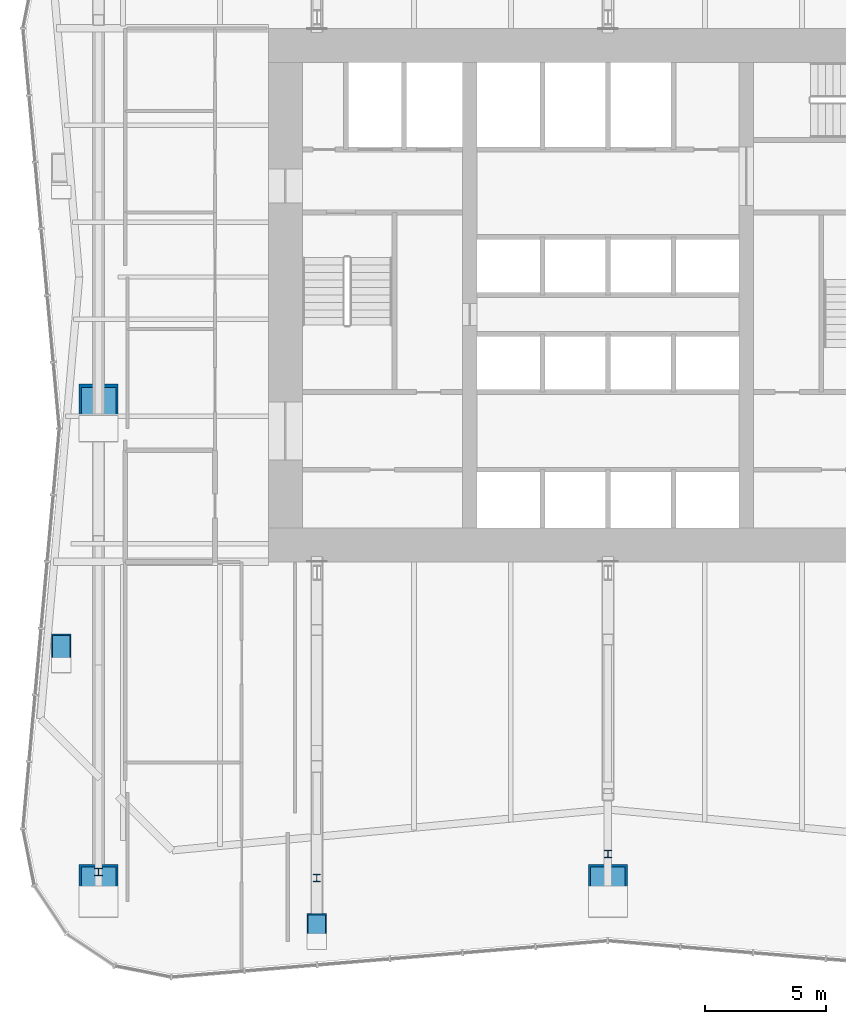
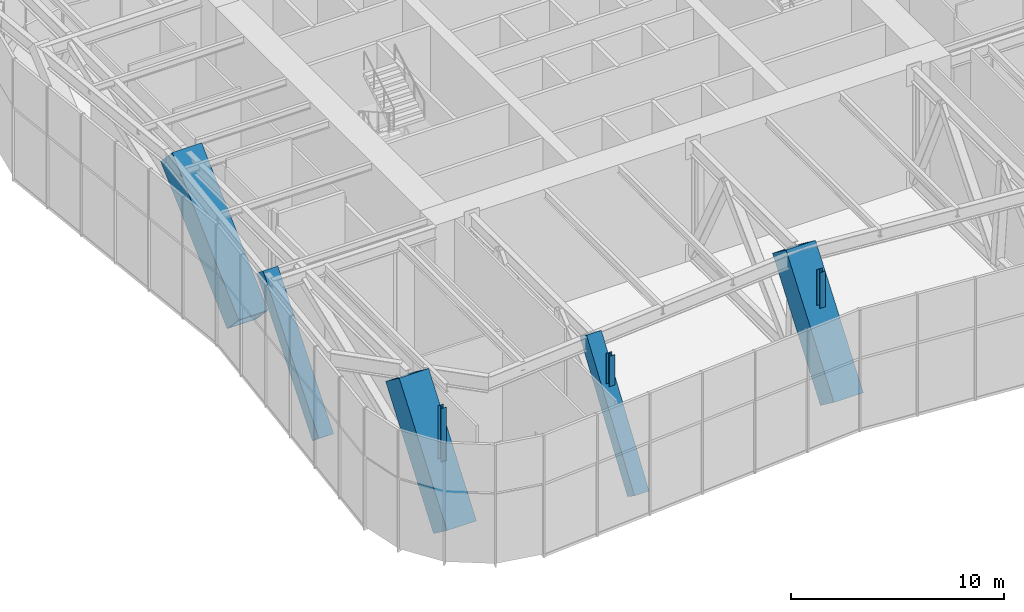
# One storey, part 1 of 17: 8 columns.
"""IFC4 building model written with IfcOpenShell, lengths in metres."""

from ifc_helpers import new_model, si_unit, direction, frame, origin, origin_2d, place, context, subcontext, project, spatial, hollow_rectangle, i_section, extrude, material, material_profile, profile_set, type_object, element, save


model = new_model("IFC4")

# Units and contexts
model_context = context("Model", 3, precision=1e-05, world=origin(), true_north=direction((0.0, 1.0)))
body_context = subcontext(model_context, "Body", "Model", "MODEL_VIEW")
ifc_project = project(units=[si_unit("LENGTHUNIT", "METRE"), si_unit("AREAUNIT", "SQUARE_METRE"), si_unit("VOLUMEUNIT", "CUBIC_METRE"), si_unit("PLANEANGLEUNIT", "RADIAN"), si_unit("MASSUNIT", "GRAM", prefix="KILO")], contexts=[model_context])

# Site, building, storey
site_placement = place(None, origin())
site = spatial("IfcSite", under=ifc_project, at=site_placement, CompositionType="ELEMENT")
building_placement = place(site_placement, origin())
building = spatial("IfcBuilding", under=site, at=building_placement, Name="Verdant Reach Tower", CompositionType="ELEMENT")
storey_placement = place(building_placement, frame((0.0, 0.0, 58.0)))
storey = spatial("IfcBuildingStorey", under=building, at=storey_placement, Name="L13 Plant", CompositionType="ELEMENT", Elevation=58.0)

# Columns
ifc_material = material(Name="Steel S460", Category="steel")
ifc_material_profile_1 = material_profile(ifc_material, hollow_rectangle(XDim=1.60009765625, YDim=1.60009765625, WallThickness=0.090087890625, at=origin_2d()), Name="WB 1600x1600x90")
ifc_profile_set_1 = profile_set([ifc_material_profile_1], Name="Steel S460")
column_type_1 = type_object("IfcColumnType", Name="ST-COL-WB1600x1600x90", PredefinedType="COLUMN", material=ifc_profile_set_1)
for number, where, z_axis, x_axis, name in (
    (1, (0.0, 3.0, 0.489990234375), (0.0, 0.598720715582, 0.800957867015), (-1.0, 0.0, 0.0), "Mega column south, L13 Plant"),
    (2, (-21.0, 3.0, 0.489990234375), (0.0, 0.598720715582, 0.800957867015), (-1.0, 0.0, 0.0), "Mega column south-west, L13 Plant"),
):
    element("IfcColumn", number, at=place(storey_placement, frame(where, z_axis=z_axis, x_axis=x_axis)), inside=storey, type_object=column_type_1, Name=name, PredefinedType="COLUMN", context=body_context, shape_type="SweptSolid", body=[
        extrude(hollow_rectangle(XDim=1.60009765625, YDim=1.60009765625, WallThickness=0.090087890625, at=origin_2d()), origin(), (0.0, 0.0, 1.0), 7.51611328125),
    ])
column_1_placement = place(storey_placement, frame((-21.0, 22.5, 0.587890625), z_axis=(0.0, 0.731587227798, 0.681747847905), x_axis=(-1.0, 0.0, 0.0)))
element("IfcColumn", 3, at=column_1_placement, inside=storey, type_object=column_type_1, Name="Mega column west, L13 Plant", PredefinedType="COLUMN", context=body_context, shape_type="SweptSolid", body=[
    extrude(hollow_rectangle(XDim=1.60009765625, YDim=1.60009765625, WallThickness=0.090087890625, at=origin_2d()), origin(), (0.0, 0.0, 1.0), 8.54296875),
])
ifc_material_profile_2 = material_profile(ifc_material, hollow_rectangle(XDim=0.800048828125, YDim=0.800048828125, WallThickness=0.0400390625, at=origin_2d()), Name="WB 800x800x40")
ifc_profile_set_2 = profile_set([ifc_material_profile_2], Name="Steel S460")
column_type_2 = type_object("IfcColumnType", Name="ST-COL-WB800x800x40", PredefinedType="COLUMN", material=ifc_profile_set_2)
column_2_placement = place(storey_placement, frame((-12.0, 1.35009765625, 0.2548828125), z_axis=(0.0, 0.569788529315, 0.821791355431), x_axis=(-1.0, 0.0, 0.0)))
element("IfcColumn", 4, at=column_2_placement, inside=storey, type_object=column_type_2, Name="Perimeter column south 1, L13 Plant", PredefinedType="COLUMN", context=body_context, shape_type="SweptSolid", body=[
    extrude(hollow_rectangle(XDim=0.800048828125, YDim=0.800048828125, WallThickness=0.0400390625, at=origin_2d()), origin(), (0.0, 0.0, 1.0), 7.897705078125),
])
column_3_placement = place(storey_placement, frame((-22.536376953125, 12.75, 0.278564453125), z_axis=(0.000323130743, 0.631691226248, 0.775220027004), x_axis=(-0.999999869167, 0.000511532671, 0.0)))
element("IfcColumn", 5, at=column_3_placement, inside=storey, type_object=column_type_2, Name="Perimeter column west 1, L13 Plant", PredefinedType="COLUMN", context=body_context, shape_type="SweptSolid", body=[
    extrude(hollow_rectangle(XDim=0.800048828125, YDim=0.800048828125, WallThickness=0.0400390625, at=origin_2d()), origin(), (0.0, 0.0, 1.0), 8.31103515625),
])
ifc_material_profile_3 = material_profile(ifc_material, i_section(OverallWidth=0.300048828125, OverallDepth=0.300048828125, WebThickness=0.010986328125, FlangeThickness=0.01904296875, FilletRadius=0.027099609375, at=origin_2d()), Name="HEB 300")
ifc_profile_set_3 = profile_set([ifc_material_profile_3], Name="Steel S460")
column_type_3 = type_object("IfcColumnType", Name="ST-DECK-POST-HEB300", PredefinedType="COLUMN", material=ifc_profile_set_3)
column_4_placement = place(storey_placement, frame((0.0, 4.959228515625, 4.64794921875), z_axis=(0.0, 0.0, 1.0), x_axis=(1.0, 0.0, 0.0)))
element("IfcColumn", 6, at=column_4_placement, inside=storey, type_object=column_type_3, Name="Terrace deck post, column M-S, L13 Plant", PredefinedType="COLUMN", context=body_context, shape_type="SweptSolid", body=[
    extrude(i_section(OverallWidth=0.300048828125, OverallDepth=0.300048828125, WebThickness=0.010986328125, FlangeThickness=0.01904296875, FilletRadius=0.027099609375, at=origin_2d()), origin(), (0.0, 0.0, 1.0), 2.052001953125),
])
column_5_placement = place(storey_placement, frame((-21.0, 4.209228515625, 3.64453125), z_axis=(0.0, 0.0, 1.0), x_axis=(1.0, 0.0, 0.0)))
element("IfcColumn", 7, at=column_5_placement, inside=storey, type_object=column_type_3, Name="Terrace deck post, column M-SW, L13 Plant", PredefinedType="COLUMN", context=body_context, shape_type="SweptSolid", body=[
    extrude(i_section(OverallWidth=0.300048828125, OverallDepth=0.300048828125, WebThickness=0.010986328125, FlangeThickness=0.01904296875, FilletRadius=0.027099609375, at=origin_2d()), origin(), (0.0, 0.0, 1.0), 3.055419921875),
])
column_6_placement = place(storey_placement, frame((-12.0, 3.97119140625, 4.953857421875), z_axis=(0.0, 0.0, 1.0), x_axis=(1.0, 0.0, 0.0)))
element("IfcColumn", 8, at=column_6_placement, inside=storey, type_object=column_type_3, Name="Terrace deck post, column P-S1, L13 Plant", PredefinedType="COLUMN", context=body_context, shape_type="SweptSolid", body=[
    extrude(i_section(OverallWidth=0.300048828125, OverallDepth=0.300048828125, WebThickness=0.010986328125, FlangeThickness=0.01904296875, FilletRadius=0.027099609375, at=origin_2d()), origin(), (0.0, 0.0, 1.0), 1.74609375),
])

save(model, "model.ifc")
